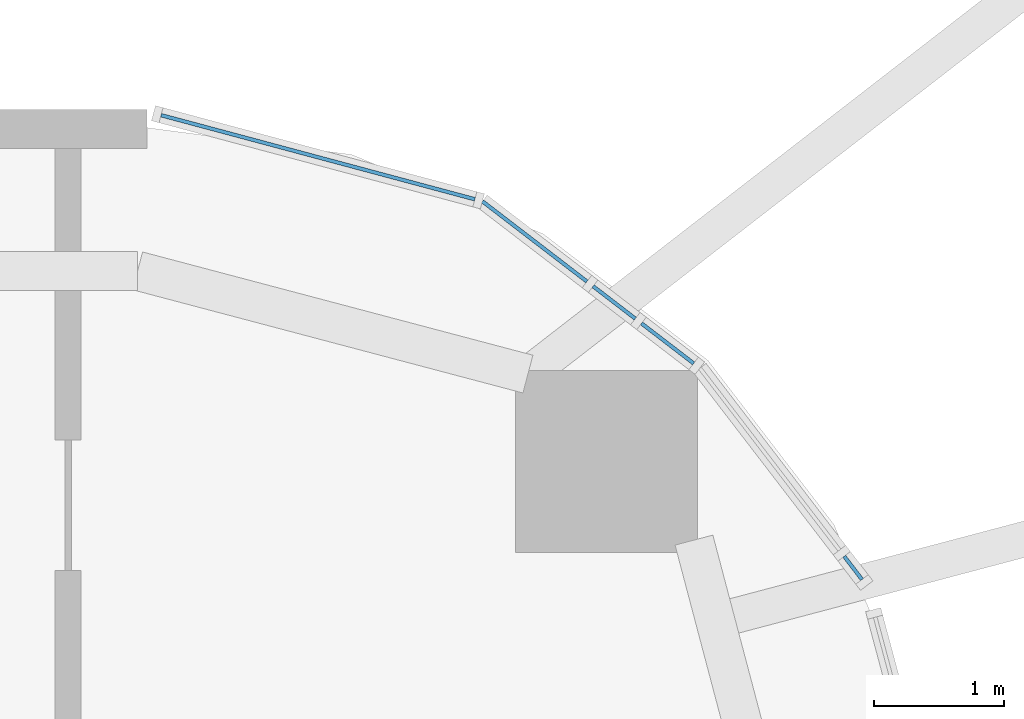
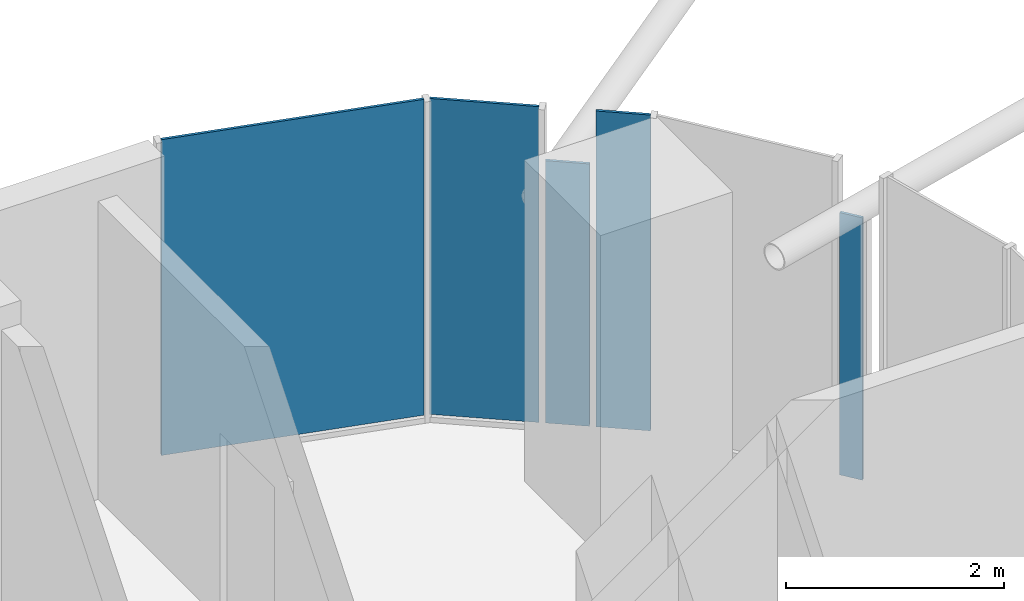
# One storey, part 22 of 31: 5 plates, 5 elements without a shape of their own.
"""IFC4 building model written with IfcOpenShell, lengths in metres."""

import ifcopenshell
import ifcopenshell.guid

model = None  # the IFC model being written
_history = None  # IfcOwnerHistory: only IFC2X3 demands one
_inside = {}  # id of a spatial element -> (the spatial element, [elements in it])
_under = {}  # id of a project, library or spatial element -> (it, [spatial elements below it])
_declared = {}  # id of a project -> (the project, [libraries it declares])
_typed = {}  # id of a type object -> (the type object, [elements of that type])
_made_of = {}  # id of a material, layer set ... -> (it, [elements and type objects made of it])


def new_model(schema):
    """Start an empty IFC model of exactly this schema.

    Asked for "IFC4X3", IfcOpenShell would pick the latest addendum, in which some entities
    have other attributes; the version numbers below select the first issue.
    IFC2X3 requires an IfcOwnerHistory on every rooted entity: one is made here for all.
    """
    global model, _history
    if schema == "IFC4X3":
        model = ifcopenshell.file(schema_version=(4, 3, 0, 0))
    else:
        model = ifcopenshell.file(schema=schema)
    _inside.clear()
    _under.clear()
    _declared.clear()
    _typed.clear()
    _made_of.clear()
    _history = None
    if model.schema == "IFC2X3":
        org = make("IfcOrganization", Name="unknown")
        user = make(
            "IfcPersonAndOrganization",
            ThePerson=make("IfcPerson", FamilyName="unknown"),
            TheOrganization=org,
        )
        app = make(
            "IfcApplication",
            ApplicationDeveloper=org,
            Version="unknown",
            ApplicationFullName="unknown",
            ApplicationIdentifier="unknown",
        )
        _history = make(
            "IfcOwnerHistory",
            OwningUser=user,
            OwningApplication=app,
            ChangeAction="ADDED",
            CreationDate=0,
        )
    return model


def make(cls, **values):
    """One entity of the class cls with the attributes given. An attribute that is None is left unset."""
    return model.create_entity(
        cls, **{name: value for name, value in values.items() if value is not None}
    )


def rooted(cls, **values):
    """An entity with a GlobalId (a new one), such as an element, a storey or a relation."""
    return make(cls, GlobalId=ifcopenshell.guid.new(), OwnerHistory=_history, **values)


def si_unit(unit_type, name, prefix=None):
    """IfcSIUnit, for example si_unit("LENGTHUNIT", "METRE", prefix="MILLI")."""
    return make("IfcSIUnit", UnitType=unit_type, Prefix=prefix, Name=name)


def assignment(units):
    """IfcUnitAssignment: the units of a project."""
    return None if units is None else make("IfcUnitAssignment", Units=units)


def point(xyz):
    """IfcCartesianPoint."""
    return None if xyz is None else make("IfcCartesianPoint", Coordinates=xyz)


def direction(xyz):
    """IfcDirection."""
    return None if xyz is None else make("IfcDirection", DirectionRatios=xyz)


def frame(location, z_axis=None, x_axis=None):
    """IfcAxis2Placement3D, a coordinate frame: its origin and axes. An axis left out is left unset."""
    return make(
        "IfcAxis2Placement3D",
        Location=point(location),
        Axis=direction(z_axis),
        RefDirection=direction(x_axis),
    )


def frame_2d(location, x_axis=None):
    """IfcAxis2Placement2D, a coordinate frame in the plane: its origin and x axis."""
    return make(
        "IfcAxis2Placement2D", Location=point(location), RefDirection=direction(x_axis)
    )


def origin():
    """The frame at (0, 0, 0) with its axes left unset."""
    return frame((0.0, 0.0, 0.0))


def origin_2d():
    """The frame at (0, 0) in the plane with its x axis left unset."""
    return frame_2d((0.0, 0.0))


def place(relative_to, where):
    """IfcLocalPlacement: puts the frame where relative to a parent placement (None: the world)."""
    return make(
        "IfcLocalPlacement", PlacementRelTo=relative_to, RelativePlacement=where
    )


def context(
    kind, dimensions, precision=None, world=None, true_north=None, identifier=None
):
    """IfcGeometricRepresentationContext, for example the 3D "Model" context."""
    return make(
        "IfcGeometricRepresentationContext",
        ContextIdentifier=identifier,
        ContextType=kind,
        CoordinateSpaceDimension=dimensions,
        Precision=precision,
        WorldCoordinateSystem=world,
        TrueNorth=true_north,
    )


def subcontext(parent, identifier, kind, view, scale=None):
    """IfcGeometricRepresentationSubContext, for example "Body" below "Model"."""
    return make(
        "IfcGeometricRepresentationSubContext",
        ContextIdentifier=identifier,
        ContextType=kind,
        ParentContext=parent,
        TargetScale=scale,
        TargetView=view,
    )


def project(units=None, contexts=None):
    """IfcProject with its units and contexts."""
    return rooted(
        "IfcProject",
        Name="project",
        RepresentationContexts=contexts,
        UnitsInContext=assignment(units),
    )


def spatial(cls, under=None, at=None, **own):
    """A site, building, storey or space (cls), placed at a placement, below another one or the project."""
    s = rooted(cls, ObjectPlacement=at, **own)
    if under is not None:
        _under.setdefault(under.id(), (under, []))[1].append(s)
    return s


def profile(cls, at=None, kind="AREA", **sizes):
    """A parametric profile (cls). Its sizes go by their IFC names, for example OverallWidth=200.0."""
    return make(cls, ProfileType=kind, Position=at, **sizes)


def rectangle(**sizes):
    """IfcRectangleProfileDef."""
    return profile("IfcRectangleProfileDef", **sizes)


def extrude(swept, where, along, depth):
    """IfcExtrudedAreaSolid: the profile swept, set in the frame where, extruded along a direction by depth."""
    return make(
        "IfcExtrudedAreaSolid",
        SweptArea=swept,
        Position=where,
        ExtrudedDirection=direction(along),
        Depth=depth,
    )


def shape(context_of_items, identifier, shape_type, items):
    """IfcShapeRepresentation: the items that make up one representation, for example the "Body"."""
    return make(
        "IfcShapeRepresentation",
        ContextOfItems=context_of_items,
        RepresentationIdentifier=identifier,
        RepresentationType=shape_type,
        Items=items,
    )


def material(Name=None, Category=None):
    """IfcMaterial."""
    return make("IfcMaterial", Name=Name, Category=Category)


def layer(
    of_material, thickness, ventilated=None, Name=None, Category=None, Priority=None
):
    """IfcMaterialLayer: one layer of a wall or slab, of a material (None: an air gap)."""
    return make(
        "IfcMaterialLayer",
        Material=of_material,
        LayerThickness=thickness,
        IsVentilated=ventilated,
        Name=Name,
        Category=Category,
        Priority=Priority,
    )


def layer_set(layers, Name=None):
    """IfcMaterialLayerSet."""
    return make("IfcMaterialLayerSet", MaterialLayers=layers, LayerSetName=Name)


def made_of(thing, what):
    """Note that an element or type object is made of a material, layer set ...; save() writes the relation."""
    if what is not None:
        _made_of.setdefault(what.id(), (what, []))[1].append(thing)
    return thing


def type_object(cls, material=None, **own):
    """A type object (cls), such as IfcWallType, which elements share."""
    return made_of(rooted(cls, **own), material)


def element(
    cls,
    number,
    at=None,
    inside=None,
    cuts=None,
    type_object=None,
    material=None,
    context=None,
    identifier="Body",
    shape_type=None,
    held_by="IfcProductDefinitionShape",
    body=None,
    shapes=None,
    **own,
):
    """One element of the class cls, such as IfcWall. Its Tag is "e" and its number.

    at: its placement. inside: the storey or other place that contains it. cuts: it is an
    opening in that element (IfcRelVoidsElement). A single representation is given by context,
    identifier, shape_type and body (its items); several are given by shapes. held_by: the class
    of the entity that holds the representations. save() writes the other relations.
    """
    e = rooted(cls, Tag="e%d" % number, ObjectPlacement=at, **own)
    if body is not None:
        shapes = [shape(context, identifier, shape_type, body)]
    if shapes is not None:
        e.Representation = make(held_by, Representations=shapes)
    if inside is not None:
        _inside.setdefault(inside.id(), (inside, []))[1].append(e)
    if cuts is not None:
        rooted(
            "IfcRelVoidsElement", RelatingBuildingElement=cuts, RelatedOpeningElement=e
        )
    if type_object is not None:
        _typed.setdefault(type_object.id(), (type_object, []))[1].append(e)
    return made_of(e, material)


def aggregate(whole, parts):
    """IfcRelAggregates: a whole, such as a stair, and the parts it consists of."""
    return rooted("IfcRelAggregates", RelatingObject=whole, RelatedObjects=parts)


def save(model, path):
    """Write the relations noted so far, then the file.

    IfcRelAggregates (storeys below a building ...), IfcRelContainedInSpatialStructure (elements
    in a storey), IfcRelDefinesByType, IfcRelAssociatesMaterial and IfcRelDeclares: one each for
    every whole, place, type object, material and project.
    """
    for whole, parts in _under.values():
        aggregate(whole, parts)
    for where, things in _inside.values():
        rooted(
            "IfcRelContainedInSpatialStructure",
            RelatedElements=things,
            RelatingStructure=where,
        )
    for kind, things in _typed.values():
        rooted("IfcRelDefinesByType", RelatedObjects=things, RelatingType=kind)
    for what, things in _made_of.values():
        rooted("IfcRelAssociatesMaterial", RelatedObjects=things, RelatingMaterial=what)
    for by, libraries in _declared.values():
        rooted("IfcRelDeclares", RelatingContext=by, RelatedDefinitions=libraries)
    model.write(path)


model = new_model("IFC4")

# Units and contexts
model_context = context("Model", 3, precision=1e-05, world=origin(), true_north=direction((0.0, 1.0)))
body_context = subcontext(model_context, "Body", "Model", "MODEL_VIEW")
ifc_project = project(units=[si_unit("LENGTHUNIT", "METRE"), si_unit("AREAUNIT", "SQUARE_METRE"), si_unit("VOLUMEUNIT", "CUBIC_METRE"), si_unit("PLANEANGLEUNIT", "RADIAN"), si_unit("MASSUNIT", "GRAM", prefix="KILO")], contexts=[model_context])

# Site, building, storey
site_placement = place(None, origin())
site = spatial("IfcSite", under=ifc_project, at=site_placement, CompositionType="ELEMENT")
building_placement = place(site_placement, origin())
building = spatial("IfcBuilding", under=site, at=building_placement, Name="Marenta Gate Hotel Tower", CompositionType="ELEMENT")
storey_placement = place(building_placement, frame((0.0, 0.0, 205.699951171875)))
storey = spatial("IfcBuildingStorey", under=building, at=storey_placement, Name="L47", CompositionType="ELEMENT", Elevation=205.699951171875)

# Curtain wall, plate
ifc_material_1 = material(Name="Tinted insulated glass in bronze anodised frame", Category="glass")
ifc_layer_1 = layer(ifc_material_1, 0.1201171875)
ifc_layer_set_1 = layer_set([ifc_layer_1], Name="Tinted insulated glass in bronze anodised frame")
curtain_wall_type = type_object("IfcCurtainWallType", Name="Tower unitised curtain wall CW1", PredefinedType="NOTDEFINED", material=ifc_layer_set_1)
curtain_wall_1_placement = place(storey_placement, origin())
curtain_wall_1 = element("IfcCurtainWall", 1, at=curtain_wall_1_placement, inside=storey, type_object=curtain_wall_type, Name="CW1 run G36", PredefinedType="NOTDEFINED")
ifc_material_2 = material(Name="Tinted insulated glass", Category="glass")
ifc_layer_2 = layer(ifc_material_2, 0.028076171875)
ifc_layer_set_2 = layer_set([ifc_layer_2], Name="Tinted insulated glass")
plate_type = type_object("IfcPlateType", Name="Glass panel CW1 28 mm tinted insulated unit", PredefinedType="CURTAIN_PANEL", material=ifc_layer_set_2)
plate_1_placement = place(storey_placement, frame((24.62939453125, 19.118896484375, 0.06005859375), z_axis=(0.0, 0.0, 1.0), x_axis=(-0.608808478087, 0.793317236047, 0.0)))
plate_1 = element("IfcPlate", 2, at=plate_1_placement, type_object=plate_type, Name="CW1 panel 1.1", PredefinedType="CURTAIN_PANEL", context=body_context, shape_type="SweptSolid", body=[
    extrude(rectangle(XDim=0.22412109375, YDim=0.028076171875, at=origin_2d()), origin(), (0.0, 0.0, 1.0), 2.9404296875),
])
aggregate(curtain_wall_1, [plate_1])

curtain_wall_2_placement = place(storey_placement, origin())
curtain_wall_2 = element("IfcCurtainWall", 3, at=curtain_wall_2_placement, inside=storey, type_object=curtain_wall_type, Name="CW1 run G38", PredefinedType="NOTDEFINED")
plate_2_placement = place(storey_placement, frame((23.20458984375, 20.843017578125, 0.06005859375), z_axis=(0.0, 0.0, 1.0), x_axis=(-0.793347091368, 0.608769572677, 0.0)))
plate_2 = element("IfcPlate", 4, at=plate_2_placement, type_object=plate_type, Name="CW1 panel 1.1", PredefinedType="CURTAIN_PANEL", context=body_context, shape_type="SweptSolid", body=[
    extrude(rectangle(XDim=0.505126953125, YDim=0.028076171875, at=origin_2d()), origin(), (0.0, 0.0, 1.0), 3.5400390625),
])
aggregate(curtain_wall_2, [plate_2])

curtain_wall_3_placement = place(storey_placement, origin())
curtain_wall_3 = element("IfcCurtainWall", 5, at=curtain_wall_3_placement, inside=storey, type_object=curtain_wall_type, Name="CW1 run G39", PredefinedType="NOTDEFINED")
plate_3_placement = place(storey_placement, frame((22.794677734375, 21.157470703125, 0.06005859375), z_axis=(0.0, 0.0, 1.0), x_axis=(-0.793290143052, 0.608843780404, 0.0)))
plate_3 = element("IfcPlate", 6, at=plate_3_placement, type_object=plate_type, Name="CW1 panel 1.1", PredefinedType="CURTAIN_PANEL", context=body_context, shape_type="SweptSolid", body=[
    extrude(rectangle(XDim=0.408447265625, YDim=0.028076171875, at=origin_2d()), origin(), (0.0, 0.0, 1.0), 2.9404296875),
])
aggregate(curtain_wall_3, [plate_3])

curtain_wall_4_placement = place(storey_placement, origin())
curtain_wall_4 = element("IfcCurtainWall", 7, at=curtain_wall_4_placement, inside=storey, type_object=curtain_wall_type, Name="CW1 run G40", PredefinedType="NOTDEFINED")
plate_4_placement = place(storey_placement, frame((22.183837890625, 21.626220703125, 0.06005859375), z_axis=(0.0, 0.0, 1.0), x_axis=(-0.793344960162, 0.60877235005, 0.0)))
plate_4 = element("IfcPlate", 8, at=plate_4_placement, type_object=plate_type, Name="CW1 panel 1.1", PredefinedType="CURTAIN_PANEL", context=body_context, shape_type="SweptSolid", body=[
    extrude(rectangle(XDim=1.01171875, YDim=0.028076171875, at=origin_2d()), origin(), (0.0, 0.0, 1.0), 3.5400390625),
])
aggregate(curtain_wall_4, [plate_4])

curtain_wall_5_placement = place(storey_placement, origin())
curtain_wall_5 = element("IfcCurtainWall", 9, at=curtain_wall_5_placement, inside=storey, type_object=curtain_wall_type, Name="CW1 run G41", PredefinedType="NOTDEFINED")
plate_5_placement = place(storey_placement, frame((20.51953125, 22.272705078125, 0.06005859375), z_axis=(0.0, 0.0, 1.0), x_axis=(-0.96592961764, 0.258804895175, 0.0)))
plate_5 = element("IfcPlate", 10, at=plate_5_placement, type_object=plate_type, Name="CW1 panel 1.1", PredefinedType="CURTAIN_PANEL", context=body_context, shape_type="SweptSolid", body=[
    extrude(rectangle(XDim=2.4951171875, YDim=0.028076171875, at=origin_2d()), origin(), (0.0, 0.0, 1.0), 3.5400390625),
])
aggregate(curtain_wall_5, [plate_5])

save(model, "model.ifc")
